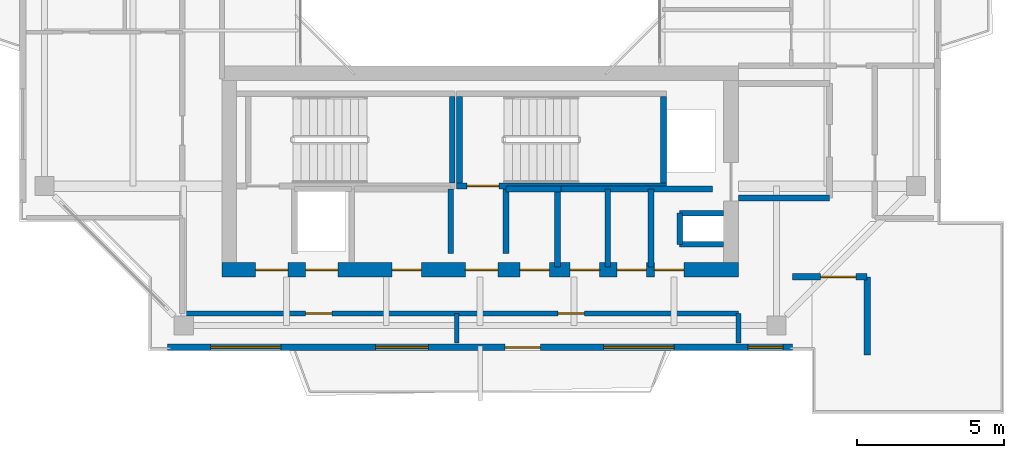
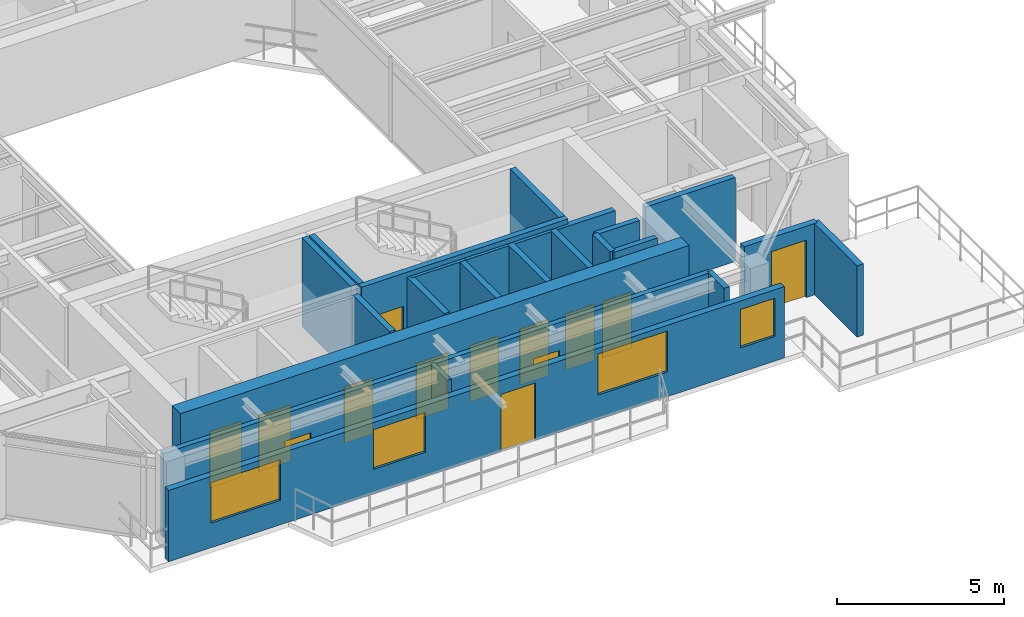
# One storey, part 9 of 14: 22 walls, 13 doors, 4 windows, 17 openings.
"""IFC4 building model written with IfcOpenShell, lengths in metres."""

from ifc_helpers import new_model, si_unit, direction, frame, frame_2d, origin, place, context, subcontext, project, spatial, rectangle, extrude, source, transform, mapped, material, layer, layer_set, type_object, element, fill, save


model = new_model("IFC4")

# Units and contexts
model_context = context("Model", 3, precision=1e-05, world=origin(), true_north=direction((0.0, 1.0)))
body_context = subcontext(model_context, "Body", "Model", "MODEL_VIEW")
ifc_project = project(units=[si_unit("LENGTHUNIT", "METRE"), si_unit("AREAUNIT", "SQUARE_METRE"), si_unit("VOLUMEUNIT", "CUBIC_METRE"), si_unit("PLANEANGLEUNIT", "RADIAN"), si_unit("MASSUNIT", "GRAM", prefix="KILO"), si_unit("THERMODYNAMICTEMPERATUREUNIT", "KELVIN"), si_unit("POWERUNIT", "WATT")], contexts=[model_context])

# Site, building, storey
site_placement = place(None, origin())
site = spatial("IfcSite", under=ifc_project, at=site_placement, CompositionType="ELEMENT")
building_placement = place(site_placement, origin())
building = spatial("IfcBuilding", under=site, at=building_placement, Name="Qiaomeng Ring Towers", CompositionType="ELEMENT")
storey_placement = place(building_placement, frame((0.0, 0.0, 253.5)))
storey = spatial("IfcBuildingStorey", under=building, at=storey_placement, Name="L74", CompositionType="ELEMENT", Elevation=253.5)

# Wall, openings, windows, door
ifc_material_1 = material(Name="Precast concrete C40", Category="concrete")
ifc_layer_1 = layer(ifc_material_1, 0.219970703125, Name="Precast concrete C40")
ifc_layer_set_1 = layer_set([ifc_layer_1], Name="Precast concrete C40")
wall_type_1 = type_object("IfcWallType", Name="ARC-WL-EW2", PredefinedType="STANDARD", material=ifc_layer_set_1)
wall_1_placement = place(storey_placement, frame((8.35009765625, 7.409912109375, 0.0), z_axis=(0.0, 0.0, 1.0), x_axis=(1.0, 0.0, 0.0)))
wall_1 = element("IfcWall", 1, at=wall_1_placement, inside=storey, type_object=wall_type_1, Name="L74 Tower 1 S Exterior Wall", PredefinedType="STANDARD", context=body_context, shape_type="SweptSolid", body=[
    extrude(rectangle(XDim=21.2998046875, YDim=0.219970703125, at=frame_2d((10.64990234375, 0.0))), origin(), (0.0, 0.0, 1.0), 2.610107421875),
])
opening_1_placement = place(wall_1_placement, frame((11.5, 0.0, 0.0)))
opening_1 = element("IfcOpeningElement", 2, at=opening_1_placement, cuts=wall_1, Name="Opening BD1", PredefinedType="OPENING", context=body_context, shape_type="SweptSolid", body=[
    extrude(rectangle(XDim=1.199951171875, YDim=2.10009765625, at=frame_2d((0.60009765625, 1.050048828125))), frame((0.0, 0.119873046875, 0.0), z_axis=(0.0, -1.0, 0.0), x_axis=(1.0, 0.0, 0.0)), (0.0, 0.0, 1.0), 0.239990234375),
])
opening_2_placement = place(wall_1_placement, frame((1.462890625, 0.0, 0.89990234375)))
opening_2 = element("IfcOpeningElement", 3, at=opening_2_placement, cuts=wall_1, Name="Opening WN6", PredefinedType="OPENING", context=body_context, shape_type="SweptSolid", body=[
    extrude(rectangle(XDim=2.39990234375, YDim=1.47998046875, at=frame_2d((1.199951171875, 0.739990234375))), frame((0.0, 0.119873046875, 0.0), z_axis=(0.0, -1.0, 0.0), x_axis=(1.0, 0.0, 0.0)), (0.0, 0.0, 1.0), 0.239990234375),
])
opening_3_placement = place(wall_1_placement, frame((7.087890625, 0.0, 0.89990234375)))
opening_3 = element("IfcOpeningElement", 4, at=opening_3_placement, cuts=wall_1, Name="Opening WN1", PredefinedType="OPENING", context=body_context, shape_type="SweptSolid", body=[
    extrude(rectangle(XDim=1.800048828125, YDim=1.449951171875, at=frame_2d((0.89990234375, 0.72509765625))), frame((0.0, 0.119873046875, 0.0), z_axis=(0.0, -1.0, 0.0), x_axis=(1.0, 0.0, 0.0)), (0.0, 0.0, 1.0), 0.239990234375),
])
opening_4_placement = place(wall_1_placement, frame((19.77490234375, 0.0, 0.89990234375)))
opening_4 = element("IfcOpeningElement", 5, at=opening_4_placement, cuts=wall_1, Name="Opening WN3", PredefinedType="OPENING", context=body_context, shape_type="SweptSolid", body=[
    extrude(rectangle(XDim=1.199951171875, YDim=1.39990234375, at=frame_2d((0.60009765625, 0.699951171875))), frame((0.0, 0.119873046875, 0.0), z_axis=(0.0, -1.0, 0.0), x_axis=(1.0, 0.0, 0.0)), (0.0, 0.0, 1.0), 0.239990234375),
])
opening_5_placement = place(wall_1_placement, frame((14.860107421875, 0.0, 0.89990234375)))
opening_5 = element("IfcOpeningElement", 6, at=opening_5_placement, cuts=wall_1, Name="Opening WN6", PredefinedType="OPENING", context=body_context, shape_type="SweptSolid", body=[
    extrude(rectangle(XDim=2.39990234375, YDim=1.5, at=frame_2d((1.199951171875, 0.75))), frame((0.0, 0.119873046875, 0.0), z_axis=(0.0, -1.0, 0.0), x_axis=(1.0, 0.0, 0.0)), (0.0, 0.0, 1.0), 0.239990234375),
])
ifc_material_2 = material(Name="Low-E dark-grey laminated double glazing", Category="glass")
window_type_1 = type_object("IfcWindowType", Name="ARC-WN-1", PartitioningType="DOUBLE_PANEL_VERTICAL", PredefinedType="WINDOW", material=ifc_material_2)
shared_shape_1 = source(origin(), body_context, "Body", "SweptSolid", [
    extrude(rectangle(XDim=1.800048828125, YDim=1.449951171875, at=frame_2d((0.89990234375, 0.72509765625))), frame((0.0, 0.030029296875, 0.0), z_axis=(0.0, -1.0, 0.0), x_axis=(1.0, 0.0, 0.0)), (0.0, 0.0, 1.0), 0.06005859375),
])
window_1_placement = place(opening_3_placement, origin())
window_1 = element("IfcWindow", 7, at=window_1_placement, inside=storey, type_object=window_type_1, Name="L74 Exterior Window WN1", OverallHeight=1.449951171875, OverallWidth=1.800048828125, PartitioningType="DOUBLE_PANEL_VERTICAL", PredefinedType="WINDOW", context=body_context, shape_type="MappedRepresentation", body=[
    mapped(shared_shape_1, transform((0.0, 0.0, 0.0), x_axis=(1.0, 0.0, 0.0), y_axis=(0.0, 1.0, 0.0), z_axis=(0.0, 0.0, 1.0), scale=1.0)),
])
fill(opening_3, window_1)
window_type_2 = type_object("IfcWindowType", Name="ARC-WN-6", PartitioningType="TRIPLE_PANEL_VERTICAL", PredefinedType="WINDOW", material=ifc_material_2)
shared_shape_2 = source(origin(), body_context, "Body", "SweptSolid", [
    extrude(rectangle(XDim=2.39990234375, YDim=1.47998046875, at=frame_2d((1.199951171875, 0.739990234375))), frame((0.0, 0.030029296875, 0.0), z_axis=(0.0, -1.0, 0.0), x_axis=(1.0, 0.0, 0.0)), (0.0, 0.0, 1.0), 0.06005859375),
])
window_2_placement = place(opening_2_placement, origin())
window_2 = element("IfcWindow", 8, at=window_2_placement, inside=storey, type_object=window_type_2, Name="L74 Exterior Window WN6", OverallHeight=1.47998046875, OverallWidth=2.39990234375, PartitioningType="TRIPLE_PANEL_VERTICAL", PredefinedType="WINDOW", context=body_context, shape_type="MappedRepresentation", body=[
    mapped(shared_shape_2, transform((0.0, 0.0, 0.0), x_axis=(1.0, 0.0, 0.0), y_axis=(0.0, 1.0, 0.0), z_axis=(0.0, 0.0, 1.0), scale=1.0)),
])
fill(opening_2, window_2)
door_type_1 = type_object("IfcDoorType", Name="ARC-DR-BD1", OperationType="NOTDEFINED", PredefinedType="DOOR", material=ifc_material_2)
shared_shape_3 = source(origin(), body_context, "Body", "SweptSolid", [
    extrude(rectangle(XDim=1.199951171875, YDim=2.10009765625, at=frame_2d((0.60009765625, 1.050048828125))), frame((0.0, 0.02490234375, 0.0), z_axis=(0.0, -1.0, 0.0), x_axis=(1.0, 0.0, 0.0)), (0.0, 0.0, 1.0), 0.050048828125),
])
door_1_placement = place(opening_1_placement, frame((1.199951171875, 0.0, 0.0), z_axis=(0.0, 0.0, 1.0), x_axis=(-1.0, 0.0, 0.0)))
door_1 = element("IfcDoor", 9, at=door_1_placement, inside=storey, type_object=door_type_1, Name="L74 S Balcony Glazed Door", OperationType="SINGLE_SWING_LEFT", OverallHeight=2.10009765625, OverallWidth=1.199951171875, PredefinedType="DOOR", context=body_context, shape_type="MappedRepresentation", body=[
    mapped(shared_shape_3, transform((0.0, 0.0, 0.0), x_axis=(1.0, 0.0, 0.0), y_axis=(0.0, 1.0, 0.0), z_axis=(0.0, 0.0, 1.0), scale=1.0)),
])
fill(opening_1, door_1)
shared_shape_4 = source(origin(), body_context, "Body", "SweptSolid", [
    extrude(rectangle(XDim=2.39990234375, YDim=1.5, at=frame_2d((1.199951171875, 0.75))), frame((0.0, 0.030029296875, 0.0), z_axis=(0.0, -1.0, 0.0), x_axis=(1.0, 0.0, 0.0)), (0.0, 0.0, 1.0), 0.06005859375),
])
window_3_placement = place(opening_5_placement, origin())
window_3 = element("IfcWindow", 10, at=window_3_placement, inside=storey, type_object=window_type_2, Name="L74 Exterior Window WN6", OverallHeight=1.5, OverallWidth=2.39990234375, PartitioningType="TRIPLE_PANEL_VERTICAL", PredefinedType="WINDOW", context=body_context, shape_type="MappedRepresentation", body=[
    mapped(shared_shape_4, transform((0.0, 0.0, 0.0), x_axis=(1.0, 0.0, 0.0), y_axis=(0.0, 1.0, 0.0), z_axis=(0.0, 0.0, 1.0), scale=1.0)),
])
fill(opening_5, window_3)
window_type_3 = type_object("IfcWindowType", Name="ARC-WN-3", PartitioningType="SINGLE_PANEL", PredefinedType="WINDOW", material=ifc_material_2)
shared_shape_5 = source(origin(), body_context, "Body", "SweptSolid", [
    extrude(rectangle(XDim=1.199951171875, YDim=1.39990234375, at=frame_2d((0.60009765625, 0.699951171875))), frame((0.0, 0.030029296875, 0.0), z_axis=(0.0, -1.0, 0.0), x_axis=(1.0, 0.0, 0.0)), (0.0, 0.0, 1.0), 0.06005859375),
])
window_4_placement = place(opening_4_placement, origin())
window_4 = element("IfcWindow", 11, at=window_4_placement, inside=storey, type_object=window_type_3, Name="L74 Exterior Window WN4", OverallHeight=1.39990234375, OverallWidth=1.199951171875, PartitioningType="TRIPLE_PANEL_VERTICAL", PredefinedType="WINDOW", context=body_context, shape_type="MappedRepresentation", body=[
    mapped(shared_shape_5, transform((0.0, 0.0, 0.0), x_axis=(1.0, 0.0, 0.0), y_axis=(0.0, 1.0, 0.0), z_axis=(0.0, 0.0, 1.0), scale=1.0)),
])
fill(opening_4, window_4)

# Wall, opening, door
wall_2_placement = place(storey_placement, frame((29.64990234375, 9.81005859375, 0.0), z_axis=(0.0, 0.0, 1.0), x_axis=(1.0, 0.0, 0.0)))
wall_2 = element("IfcWall", 12, at=wall_2_placement, inside=storey, type_object=wall_type_1, Name="L74 Spiral Terrace Wall SE", PredefinedType="STANDARD", context=body_context, shape_type="SweptSolid", body=[
    extrude(rectangle(XDim=2.5400390625, YDim=0.219970703125, at=frame_2d((1.27001953125, 0.0))), origin(), (0.0, 0.0, 1.0), 2.610107421875),
])
opening_6_placement = place(wall_2_placement, frame((0.949951171875, 0.0, 0.0)))
opening_6 = element("IfcOpeningElement", 13, at=opening_6_placement, cuts=wall_2, Name="Opening BD1", PredefinedType="OPENING", context=body_context, shape_type="SweptSolid", body=[
    extrude(rectangle(XDim=1.199951171875, YDim=2.10009765625, at=frame_2d((0.60009765625, 1.050048828125))), frame((0.0, 0.119873046875, 0.0), z_axis=(0.0, -1.0, 0.0), x_axis=(1.0, 0.0, 0.0)), (0.0, 0.0, 1.0), 0.239990234375),
])
door_2_placement = place(opening_6_placement, origin())
door_2 = element("IfcDoor", 14, at=door_2_placement, inside=storey, type_object=door_type_1, Name="L74 Spiral Sky Terrace Door SE", OperationType="SINGLE_SWING_LEFT", OverallHeight=2.10009765625, OverallWidth=1.199951171875, PredefinedType="DOOR", context=body_context, shape_type="MappedRepresentation", body=[
    mapped(shared_shape_3, transform((0.0, 0.0, 0.0), x_axis=(1.0, 0.0, 0.0), y_axis=(0.0, 1.0, 0.0), z_axis=(0.0, 0.0, 1.0), scale=1.0)),
])
fill(opening_6, door_2)

# Walls
wall_3_placement = place(storey_placement, frame((32.18994140625, 7.14990234375, 0.0), z_axis=(0.0, 0.0, 1.0), x_axis=(0.0, 1.0, 0.0)))
element("IfcWall", 15, at=wall_3_placement, inside=storey, type_object=wall_type_1, Name="L74 Spiral Terrace Return Wall SE", PredefinedType="STANDARD", context=body_context, shape_type="SweptSolid", body=[
    extrude(rectangle(XDim=2.66015625, YDim=0.219970703125, at=frame_2d((1.330078125, 0.0))), origin(), (0.0, 0.0, 1.0), 2.610107421875),
])
ifc_material_3 = material(Name="Autoclaved aerated concrete block", Category="concrete")
ifc_layer_2 = layer(ifc_material_3, 0.199951171875, Name="Autoclaved aerated concrete block")
ifc_layer_set_2 = layer_set([ifc_layer_2], Name="Autoclaved aerated concrete block")
wall_type_2 = type_object("IfcWallType", Name="ARC-WL-PW1", PredefinedType="PARTITIONING", material=ifc_layer_set_2)
wall_4_placement = place(storey_placement, frame((27.800048828125, 12.5, 0.0), z_axis=(0.0, 0.0, 1.0), x_axis=(1.0, 0.0, 0.0)))
element("IfcWall", 16, at=wall_4_placement, inside=storey, type_object=wall_type_2, Name="L74 Interior Wall PW1", PredefinedType="PARTITIONING", context=body_context, shape_type="SweptSolid", body=[
    extrude(rectangle(XDim=3.099853515625, YDim=0.199951171875, at=frame_2d((1.5498046875, 0.0))), origin(), (0.0, 0.0, 1.0), 3.070068359375),
])
for number, where, z_axis, x_axis, name in (
    (17, (18.0, 10.60009765625, 0.0), (0.0, 0.0, 1.0), (0.0, 1.0, 0.0), "L74 Interior Wall PW1"),
    (18, (19.8798828125, 10.60009765625, 0.0), (0.0, 0.0, 1.0), (0.0, 1.0, 0.0), "L74 Interior Wall PW1"),
):
    element("IfcWall", number, at=place(storey_placement, frame(where, z_axis=z_axis, x_axis=x_axis)), inside=storey, type_object=wall_type_2, Name=name, PredefinedType="PARTITIONING", context=body_context, shape_type="SweptSolid", body=[
        extrude(rectangle(XDim=2.2099609375, YDim=0.199951171875, at=frame_2d((1.10498046875, 0.0))), origin(), (0.0, 0.0, 1.0), 3.070068359375),
    ])
wall_5_placement = place(storey_placement, frame((24.820068359375, 10.14990234375, 0.0), z_axis=(0.0, 0.0, 1.0), x_axis=(0.0, 1.0, 0.0)))
element("IfcWall", 19, at=wall_5_placement, inside=storey, type_object=wall_type_2, Name="L74 Interior Wall PW1", PredefinedType="PARTITIONING", context=body_context, shape_type="SweptSolid", body=[
    extrude(rectangle(XDim=2.650146484375, YDim=0.199951171875, at=frame_2d((1.3251953125, 0.0))), origin(), (0.0, 0.0, 1.0), 3.070068359375),
])
wall_6_placement = place(storey_placement, frame((19.8798828125, 12.800048828125, 0.0), z_axis=(0.0, 0.0, 1.0), x_axis=(1.0, 0.0, 0.0)))
element("IfcWall", 20, at=wall_6_placement, inside=storey, type_object=wall_type_2, Name="L74 Interior Wall PW1", PredefinedType="PARTITIONING", context=body_context, shape_type="SweptSolid", body=[
    extrude(rectangle(XDim=1.8701171875, YDim=0.199951171875, at=frame_2d((0.93505859375, 0.0))), origin(), (0.0, 0.0, 1.0), 3.070068359375),
])
for number, where, z_axis, x_axis, name in (
    (21, (21.639892578125, 10.14990234375, 0.0), (0.0, 0.0, 1.0), (0.0, 1.0, 0.0), "L74 Interior Wall PW1"),
    (22, (23.35009765625, 10.14990234375, 0.0), (0.0, 0.0, 1.0), (0.0, 1.0, 0.0), "L74 Interior Wall PW1"),
):
    element("IfcWall", number, at=place(storey_placement, frame(where, z_axis=z_axis, x_axis=x_axis)), inside=storey, type_object=wall_type_2, Name=name, PredefinedType="PARTITIONING", context=body_context, shape_type="SweptSolid", body=[
        extrude(rectangle(XDim=2.650146484375, YDim=0.199951171875, at=frame_2d((1.3251953125, 0.0))), origin(), (0.0, 0.0, 1.0), 3.070068359375),
    ])
wall_7_placement = place(storey_placement, frame((21.75, 12.800048828125, 0.0), z_axis=(0.0, 0.0, 1.0), x_axis=(1.0, 0.0, 0.0)))
element("IfcWall", 23, at=wall_7_placement, inside=storey, type_object=wall_type_2, Name="L74 Interior Wall PW1", PredefinedType="PARTITIONING", context=body_context, shape_type="SweptSolid", body=[
    extrude(rectangle(XDim=5.169921875, YDim=0.199951171875, at=frame_2d((2.5849609375, 0.0))), origin(), (0.0, 0.0, 1.0), 3.070068359375),
])
ifc_layer_3 = layer(ifc_material_3, 0.179931640625, Name="Autoclaved aerated concrete block")
ifc_layer_set_3 = layer_set([ifc_layer_3], Name="Autoclaved aerated concrete block")
wall_type_3 = type_object("IfcWallType", Name="ARC-WL-PW2", PredefinedType="PARTITIONING", material=ifc_layer_set_3)
wall_8_placement = place(storey_placement, frame((27.800048828125, 7.550048828125, 0.0), z_axis=(0.0, 0.0, 1.0), x_axis=(0.0, 1.0, 0.0)))
element("IfcWall", 24, at=wall_8_placement, inside=storey, type_object=wall_type_3, Name="L74 Interior Wall PW2", PredefinedType="PARTITIONING", context=body_context, shape_type="SweptSolid", body=[
    extrude(rectangle(XDim=1.010009765625, YDim=0.179931640625, at=frame_2d((0.5048828125, 0.0))), origin(), (0.0, 0.0, 1.0), 3.070068359375),
])

# Wall, openings, doors
wall_9_placement = place(storey_placement, frame((8.85009765625, 8.56005859375, 0.0), z_axis=(0.0, 0.0, 1.0), x_axis=(1.0, 0.0, 0.0)))
wall_9 = element("IfcWall", 25, at=wall_9_placement, inside=storey, type_object=wall_type_3, Name="L74 Interior Wall PW2", PredefinedType="PARTITIONING", context=body_context, shape_type="SweptSolid", body=[
    extrude(rectangle(XDim=18.949951171875, YDim=0.179931640625, at=frame_2d((9.47509765625, 0.0))), origin(), (0.0, 0.0, 1.0), 3.070068359375),
])
opening_7_placement = place(wall_9_placement, frame((4.199951171875, 0.0, 0.0)))
opening_7 = element("IfcOpeningElement", 26, at=opening_7_placement, cuts=wall_9, Name="Opening ID1", PredefinedType="OPENING", context=body_context, shape_type="SweptSolid", body=[
    extrude(rectangle(XDim=0.89990234375, YDim=2.050048828125, at=frame_2d((0.449951171875, 1.02490234375))), frame((0.0, 0.099853515625, 0.0), z_axis=(0.0, -1.0, 0.0), x_axis=(1.0, 0.0, 0.0)), (0.0, 0.0, 1.0), 0.199951171875),
])
opening_8_placement = place(wall_9_placement, frame((12.800048828125, 0.0, 0.0)))
opening_8 = element("IfcOpeningElement", 27, at=opening_8_placement, cuts=wall_9, Name="Opening ID1", PredefinedType="OPENING", context=body_context, shape_type="SweptSolid", body=[
    extrude(rectangle(XDim=0.89990234375, YDim=2.050048828125, at=frame_2d((0.449951171875, 1.02490234375))), frame((0.0, 0.099853515625, 0.0), z_axis=(0.0, -1.0, 0.0), x_axis=(1.0, 0.0, 0.0)), (0.0, 0.0, 1.0), 0.199951171875),
])
ifc_material_4 = material(Name="Engineered oak timber", Category="wood")
door_type_2 = type_object("IfcDoorType", Name="ARC-DR-ID1", OperationType="NOTDEFINED", PredefinedType="DOOR", material=ifc_material_4)
shared_shape_6 = source(origin(), body_context, "Body", "SweptSolid", [
    extrude(rectangle(XDim=0.89990234375, YDim=2.050048828125, at=frame_2d((0.449951171875, 1.02490234375))), frame((0.0, 0.02490234375, 0.0), z_axis=(0.0, -1.0, 0.0), x_axis=(1.0, 0.0, 0.0)), (0.0, 0.0, 1.0), 0.050048828125),
])
door_3_placement = place(opening_7_placement, origin())
door_3 = element("IfcDoor", 28, at=door_3_placement, inside=storey, type_object=door_type_2, Name="L74 Door ID1", OperationType="SINGLE_SWING_LEFT", OverallHeight=2.050048828125, OverallWidth=0.89990234375, PredefinedType="DOOR", context=body_context, shape_type="MappedRepresentation", body=[
    mapped(shared_shape_6, transform((0.0, 0.0, 0.0), x_axis=(1.0, 0.0, 0.0), y_axis=(0.0, 1.0, 0.0), z_axis=(0.0, 0.0, 1.0), scale=1.0)),
])
fill(opening_7, door_3)
door_4_placement = place(opening_8_placement, origin())
door_4 = element("IfcDoor", 29, at=door_4_placement, inside=storey, type_object=door_type_2, Name="L74 Door ID1", OperationType="SINGLE_SWING_RIGHT", OverallHeight=2.050048828125, OverallWidth=0.89990234375, PredefinedType="DOOR", context=body_context, shape_type="MappedRepresentation", body=[
    mapped(shared_shape_6, transform((0.0, 0.0, 0.0), x_axis=(1.0, 0.0, 0.0), y_axis=(0.0, 1.0, 0.0), z_axis=(0.0, 0.0, 1.0), scale=1.0)),
])
fill(opening_8, door_4)

# Walls
ifc_material_5 = material(Name="Gypsum fireboard steel-stud partition", Category="steel")
ifc_layer_4 = layer(ifc_material_5, 0.14990234375, Name="Gypsum fireboard steel-stud partition")
ifc_layer_set_4 = layer_set([ifc_layer_4], Name="Gypsum fireboard steel-stud partition")
wall_type_4 = type_object("IfcWallType", Name="ARC-WL-PW3", PredefinedType="PARTITIONING", material=ifc_layer_set_4)
wall_10_placement = place(storey_placement, frame((18.199951171875, 7.550048828125, 0.0), z_axis=(0.0, 0.0, 1.0), x_axis=(0.0, 1.0, 0.0)))
element("IfcWall", 30, at=wall_10_placement, inside=storey, type_object=wall_type_4, Name="L74 Interior Wall PW3", PredefinedType="PARTITIONING", context=body_context, shape_type="SweptSolid", body=[
    extrude(rectangle(XDim=1.010009765625, YDim=0.14990234375, at=frame_2d((0.5048828125, 0.0))), origin(), (0.0, 0.0, 1.0), 3.070068359375),
])
ifc_material_6 = material(Name="Concrete C40", Category="concrete")
ifc_layer_5 = layer(ifc_material_6, 0.199951171875, Name="Concrete C40")
ifc_layer_set_5 = layer_set([ifc_layer_5], Name="Concrete C40")
wall_type_5 = type_object("IfcWallType", Name="STR-WL-STSHAFT", PredefinedType="SHEAR", material=ifc_layer_set_5)
wall_11_placement = place(storey_placement, frame((25.800048828125, 10.919921875, 0.0), z_axis=(0.0, 0.0, 1.0), x_axis=(0.0, 1.0, 0.0)))
element("IfcWall", 31, at=wall_11_placement, inside=storey, type_object=wall_type_5, Name="L74 Riser RSR1 West Shaft Wall S", PredefinedType="SHEAR", context=body_context, shape_type="SweptSolid", body=[
    extrude(rectangle(XDim=1.06005859375, YDim=0.179931640625, at=frame_2d((0.530029296875, 0.0))), origin(), (0.0, 0.0, 1.0), 3.070068359375),
])
for number, where, z_axis, x_axis, name in (
    (32, (25.800048828125, 11.97998046875, 0.0), (0.0, 0.0, 1.0), (1.0, 0.0, 0.0), "L74 Riser RSR1 North Shaft Wall S"),
    (33, (25.800048828125, 10.919921875, 0.0), (0.0, 0.0, 1.0), (1.0, 0.0, 0.0), "L74 Riser RSR1 South Shaft Wall S"),
):
    element("IfcWall", number, at=place(storey_placement, frame(where, z_axis=z_axis, x_axis=x_axis)), inside=storey, type_object=wall_type_5, Name=name, PredefinedType="SHEAR", context=body_context, shape_type="SweptSolid", body=[
        extrude(rectangle(XDim=1.5, YDim=0.179931640625, at=frame_2d((0.75, 0.0))), origin(), (0.0, 0.0, 1.0), 3.070068359375),
    ])
wall_12_placement = place(storey_placement, frame((18.050048828125, 13.010009765625, 0.0), z_axis=(0.0, 0.0, 1.0), x_axis=(0.0, 1.0, 0.0)))
element("IfcWall", 34, at=wall_12_placement, inside=storey, type_object=wall_type_5, Name="L74 Stair ST3 East Shaft Shear Wall", PredefinedType="SHEAR", context=body_context, shape_type="SweptSolid", body=[
    extrude(rectangle(XDim=2.93994140625, YDim=0.199951171875, at=frame_2d((1.469970703125, 0.0))), origin(), (0.0, 0.0, 1.0), 3.25),
])

# Wall, opening, door
wall_13_placement = place(storey_placement, frame((18.199951171875, 12.909912109375, 0.0), z_axis=(0.0, 0.0, 1.0), x_axis=(1.0, 0.0, 0.0)))
wall_13 = element("IfcWall", 35, at=wall_13_placement, inside=storey, type_object=wall_type_5, Name="L74 Stair ST4 South Shaft Shear Wall", PredefinedType="SHEAR", context=body_context, shape_type="SweptSolid", body=[
    extrude(rectangle(XDim=7.150146484375, YDim=0.199951171875, at=frame_2d((3.5751953125, 0.0))), origin(), (0.0, 0.0, 1.0), 3.25),
])
opening_9_placement = place(wall_13_placement, frame((0.35009765625, 0.0, 0.0)))
opening_9 = element("IfcOpeningElement", 36, at=opening_9_placement, cuts=wall_13, Name="Opening FD3", PredefinedType="OPENING", context=body_context, shape_type="SweptSolid", body=[
    extrude(rectangle(XDim=1.10009765625, YDim=2.050048828125, at=frame_2d((0.550048828125, 1.02490234375))), frame((0.0, 0.10986328125, 0.0), z_axis=(0.0, -1.0, 0.0), x_axis=(1.0, 0.0, 0.0)), (0.0, 0.0, 1.0), 0.219970703125),
])
ifc_material_7 = material(Name="Galvanised steel", Category="steel")
door_type_3 = type_object("IfcDoorType", Name="ARC-DR-FD3", OperationType="NOTDEFINED", PredefinedType="DOOR", material=ifc_material_7)
shared_shape_7 = source(origin(), body_context, "Body", "SweptSolid", [
    extrude(rectangle(XDim=1.10009765625, YDim=2.050048828125, at=frame_2d((0.550048828125, 1.02490234375))), frame((0.0, 0.02490234375, 0.0), z_axis=(0.0, -1.0, 0.0), x_axis=(1.0, 0.0, 0.0)), (0.0, 0.0, 1.0), 0.050048828125),
])
door_5_placement = place(opening_9_placement, frame((1.10009765625, 0.0, 0.0), z_axis=(0.0, 0.0, 1.0), x_axis=(-1.0, 0.0, 0.0)))
door_5 = element("IfcDoor", 37, at=door_5_placement, inside=storey, type_object=door_type_3, Name="L74 Stair ST4 Exit Door", OperationType="SINGLE_SWING_RIGHT", OverallHeight=2.050048828125, OverallWidth=1.10009765625, PredefinedType="DOOR", context=body_context, shape_type="MappedRepresentation", body=[
    mapped(shared_shape_7, transform((0.0, 0.0, 0.0), x_axis=(1.0, 0.0, 0.0), y_axis=(0.0, 1.0, 0.0), z_axis=(0.0, 0.0, 1.0), scale=1.0)),
])
fill(opening_9, door_5)

# Walls
for number, where, z_axis, x_axis, name in (
    (38, (18.300048828125, 13.010009765625, 0.0), (0.0, 0.0, 1.0), (0.0, 1.0, 0.0), "L74 Stair ST4 West Shaft Shear Wall"),
    (39, (25.25, 13.010009765625, 0.0), (0.0, 0.0, 1.0), (0.0, 1.0, 0.0), "L74 Stair ST4 East Shaft Shear Wall"),
):
    element("IfcWall", number, at=place(storey_placement, frame(where, z_axis=z_axis, x_axis=x_axis)), inside=storey, type_object=wall_type_5, Name=name, PredefinedType="SHEAR", context=body_context, shape_type="SweptSolid", body=[
        extrude(rectangle(XDim=2.93994140625, YDim=0.199951171875, at=frame_2d((1.469970703125, 0.0))), origin(), (0.0, 0.0, 1.0), 3.25),
    ])

# Wall, openings, doors
ifc_layer_6 = layer(ifc_material_6, 0.5, Name="Concrete C40")
ifc_layer_set_6 = layer_set([ifc_layer_6], Name="Concrete C40")
wall_type_6 = type_object("IfcWallType", Name="STR-WL-SW3", PredefinedType="SHEAR", material=ifc_layer_set_6)
wall_14_placement = place(storey_placement, frame((10.199951171875, 10.050048828125, 0.0), z_axis=(0.0, 0.0, 1.0), x_axis=(1.0, 0.0, 0.0)))
wall_14 = element("IfcWall", 40, at=wall_14_placement, inside=storey, type_object=wall_type_6, Name="L74 T1SC south core shear wall", PredefinedType="SHEAR", context=body_context, shape_type="SweptSolid", body=[
    extrude(rectangle(XDim=17.60009765625, YDim=0.5, at=frame_2d((8.800048828125, 0.0))), origin(), (0.0, 0.0, 1.0), 3.25),
])
opening_10_placement = place(wall_14_placement, frame((1.14990234375, 0.0, 0.0)))
opening_10 = element("IfcOpeningElement", 41, at=opening_10_placement, cuts=wall_14, Name="Opening FD3", PredefinedType="OPENING", context=body_context, shape_type="SweptSolid", body=[
    extrude(rectangle(XDim=1.10009765625, YDim=2.050048828125, at=frame_2d((0.550048828125, 1.02490234375))), frame((0.0, 0.260009765625, 0.0), z_axis=(0.0, -1.0, 0.0), x_axis=(1.0, 0.0, 0.0)), (0.0, 0.0, 1.0), 0.52001953125),
])
opening_11_placement = place(wall_14_placement, frame((8.300048828125, 0.0, 0.0)))
opening_11 = element("IfcOpeningElement", 42, at=opening_11_placement, cuts=wall_14, Name="Opening FD3", PredefinedType="OPENING", context=body_context, shape_type="SweptSolid", body=[
    extrude(rectangle(XDim=1.10009765625, YDim=2.050048828125, at=frame_2d((0.550048828125, 1.02490234375))), frame((0.0, 0.260009765625, 0.0), z_axis=(0.0, -1.0, 0.0), x_axis=(1.0, 0.0, 0.0)), (0.0, 0.0, 1.0), 0.52001953125),
])
opening_12_placement = place(wall_14_placement, frame((2.85009765625, 0.0, 0.0)))
opening_12 = element("IfcOpeningElement", 43, at=opening_12_placement, cuts=wall_14, Name="Opening LD1", PredefinedType="OPENING", context=body_context, shape_type="SweptSolid", body=[
    extrude(rectangle(XDim=1.10009765625, YDim=2.050048828125, at=frame_2d((0.550048828125, 1.02490234375))), frame((0.0, 0.260009765625, 0.0), z_axis=(0.0, -1.0, 0.0), x_axis=(1.0, 0.0, 0.0)), (0.0, 0.0, 1.0), 0.52001953125),
])
opening_13_placement = place(wall_14_placement, frame((5.800048828125, 0.0, 0.0)))
opening_13 = element("IfcOpeningElement", 44, at=opening_13_placement, cuts=wall_14, Name="Opening FD1", PredefinedType="OPENING", context=body_context, shape_type="SweptSolid", body=[
    extrude(rectangle(XDim=1.0, YDim=2.050048828125, at=frame_2d((0.5, 1.02490234375))), frame((0.0, 0.260009765625, 0.0), z_axis=(0.0, -1.0, 0.0), x_axis=(1.0, 0.0, 0.0)), (0.0, 0.0, 1.0), 0.52001953125),
])
opening_14_placement = place(wall_14_placement, frame((14.739990234375, 0.0, 0.0)))
opening_14 = element("IfcOpeningElement", 45, at=opening_14_placement, cuts=wall_14, Name="Opening FD1", PredefinedType="OPENING", context=body_context, shape_type="SweptSolid", body=[
    extrude(rectangle(XDim=1.0, YDim=2.050048828125, at=frame_2d((0.5, 1.02490234375))), frame((0.0, 0.260009765625, 0.0), z_axis=(0.0, -1.0, 0.0), x_axis=(1.0, 0.0, 0.0)), (0.0, 0.0, 1.0), 0.52001953125),
])
opening_15_placement = place(wall_14_placement, frame((10.155029296875, 0.0, 0.0)))
opening_15 = element("IfcOpeningElement", 46, at=opening_15_placement, cuts=wall_14, Name="Opening FD1", PredefinedType="OPENING", context=body_context, shape_type="SweptSolid", body=[
    extrude(rectangle(XDim=1.0, YDim=2.050048828125, at=frame_2d((0.5, 1.02490234375))), frame((0.0, 0.260009765625, 0.0), z_axis=(0.0, -1.0, 0.0), x_axis=(1.0, 0.0, 0.0)), (0.0, 0.0, 1.0), 0.52001953125),
])
opening_16_placement = place(wall_14_placement, frame((11.8701171875, 0.0, 0.0)))
opening_16 = element("IfcOpeningElement", 47, at=opening_16_placement, cuts=wall_14, Name="Opening FD1", PredefinedType="OPENING", context=body_context, shape_type="SweptSolid", body=[
    extrude(rectangle(XDim=1.0, YDim=2.050048828125, at=frame_2d((0.5, 1.02490234375))), frame((0.0, 0.260009765625, 0.0), z_axis=(0.0, -1.0, 0.0), x_axis=(1.0, 0.0, 0.0)), (0.0, 0.0, 1.0), 0.52001953125),
])
opening_17_placement = place(wall_14_placement, frame((13.4599609375, 0.0, 0.0)))
opening_17 = element("IfcOpeningElement", 48, at=opening_17_placement, cuts=wall_14, Name="Opening FD1", PredefinedType="OPENING", context=body_context, shape_type="SweptSolid", body=[
    extrude(rectangle(XDim=1.0, YDim=2.050048828125, at=frame_2d((0.5, 1.02490234375))), frame((0.0, 0.260009765625, 0.0), z_axis=(0.0, -1.0, 0.0), x_axis=(1.0, 0.0, 0.0)), (0.0, 0.0, 1.0), 0.52001953125),
])
door_6_placement = place(opening_10_placement, origin())
door_6 = element("IfcDoor", 49, at=door_6_placement, inside=storey, type_object=door_type_3, Name="L74 Stair ST3 Lobby Door", OperationType="SINGLE_SWING_LEFT", OverallHeight=2.050048828125, OverallWidth=1.10009765625, PredefinedType="DOOR", context=body_context, shape_type="MappedRepresentation", body=[
    mapped(shared_shape_7, transform((0.0, 0.0, 0.0), x_axis=(1.0, 0.0, 0.0), y_axis=(0.0, 1.0, 0.0), z_axis=(0.0, 0.0, 1.0), scale=1.0)),
])
fill(opening_10, door_6)
door_7_placement = place(opening_11_placement, origin())
door_7 = element("IfcDoor", 50, at=door_7_placement, inside=storey, type_object=door_type_3, Name="L74 Stair ST4 Lobby Door", OperationType="SINGLE_SWING_LEFT", OverallHeight=2.050048828125, OverallWidth=1.10009765625, PredefinedType="DOOR", context=body_context, shape_type="MappedRepresentation", body=[
    mapped(shared_shape_7, transform((0.0, 0.0, 0.0), x_axis=(1.0, 0.0, 0.0), y_axis=(0.0, 1.0, 0.0), z_axis=(0.0, 0.0, 1.0), scale=1.0)),
])
fill(opening_11, door_7)
ifc_material_8 = material(Name="Stainless steel 316", Category="steel")
door_type_4 = type_object("IfcDoorType", Name="ARC-DR-LD1", OperationType="NOTDEFINED", PredefinedType="DOOR", material=ifc_material_8)
door_8_placement = place(opening_12_placement, origin())
door_8 = element("IfcDoor", 51, at=door_8_placement, inside=storey, type_object=door_type_4, Name="L74 High-Zone Lift LP6 Landing Door", OperationType="SLIDING_TO_RIGHT", OverallHeight=2.050048828125, OverallWidth=1.10009765625, PredefinedType="DOOR", context=body_context, shape_type="MappedRepresentation", body=[
    mapped(shared_shape_7, transform((0.0, 0.0, 0.0), x_axis=(1.0, 0.0, 0.0), y_axis=(0.0, 1.0, 0.0), z_axis=(0.0, 0.0, 1.0), scale=1.0)),
])
fill(opening_12, door_8)
door_type_5 = type_object("IfcDoorType", Name="ARC-DR-FD1", OperationType="NOTDEFINED", PredefinedType="DOOR", material=ifc_material_7)
shared_shape_8 = source(origin(), body_context, "Body", "SweptSolid", [
    extrude(rectangle(XDim=1.0, YDim=2.050048828125, at=frame_2d((0.5, 1.02490234375))), frame((0.0, 0.02490234375, 0.0), z_axis=(0.0, -1.0, 0.0), x_axis=(1.0, 0.0, 0.0)), (0.0, 0.0, 1.0), 0.050048828125),
])
door_9_placement = place(opening_13_placement, origin())
door_9 = element("IfcDoor", 52, at=door_9_placement, inside=storey, type_object=door_type_5, Name="L74 High-Zone Freed Core Room Door", OperationType="SINGLE_SWING_RIGHT", OverallHeight=2.050048828125, OverallWidth=1.0, PredefinedType="DOOR", context=body_context, shape_type="MappedRepresentation", body=[
    mapped(shared_shape_8, transform((0.0, 0.0, 0.0), x_axis=(1.0, 0.0, 0.0), y_axis=(0.0, 1.0, 0.0), z_axis=(0.0, 0.0, 1.0), scale=1.0)),
])
fill(opening_13, door_9)
door_10_placement = place(opening_14_placement, origin())
door_10 = element("IfcDoor", 53, at=door_10_placement, inside=storey, type_object=door_type_5, Name="L74 South Electrical Riser Door", OperationType="SINGLE_SWING_RIGHT", OverallHeight=2.050048828125, OverallWidth=1.0, PredefinedType="DOOR", context=body_context, shape_type="MappedRepresentation", body=[
    mapped(shared_shape_8, transform((0.0, 0.0, 0.0), x_axis=(1.0, 0.0, 0.0), y_axis=(0.0, 1.0, 0.0), z_axis=(0.0, 0.0, 1.0), scale=1.0)),
])
fill(opening_14, door_10)
door_11_placement = place(opening_15_placement, origin())
door_11 = element("IfcDoor", 54, at=door_11_placement, inside=storey, type_object=door_type_5, Name="L74 South Break Lounge Door", OperationType="SINGLE_SWING_RIGHT", OverallHeight=2.050048828125, OverallWidth=1.0, PredefinedType="DOOR", context=body_context, shape_type="MappedRepresentation", body=[
    mapped(shared_shape_8, transform((0.0, 0.0, 0.0), x_axis=(1.0, 0.0, 0.0), y_axis=(0.0, 1.0, 0.0), z_axis=(0.0, 0.0, 1.0), scale=1.0)),
])
fill(opening_15, door_11)
door_12_placement = place(opening_16_placement, origin())
door_12 = element("IfcDoor", 55, at=door_12_placement, inside=storey, type_object=door_type_5, Name="L74 South Consultation Study Door", OperationType="SINGLE_SWING_LEFT", OverallHeight=2.050048828125, OverallWidth=1.0, PredefinedType="DOOR", context=body_context, shape_type="MappedRepresentation", body=[
    mapped(shared_shape_8, transform((0.0, 0.0, 0.0), x_axis=(1.0, 0.0, 0.0), y_axis=(0.0, 1.0, 0.0), z_axis=(0.0, 0.0, 1.0), scale=1.0)),
])
fill(opening_16, door_12)
door_13_placement = place(opening_17_placement, origin())
door_13 = element("IfcDoor", 56, at=door_13_placement, inside=storey, type_object=door_type_5, Name="L74 South Tea Pantry Door", OperationType="SINGLE_SWING_RIGHT", OverallHeight=2.050048828125, OverallWidth=1.0, PredefinedType="DOOR", context=body_context, shape_type="MappedRepresentation", body=[
    mapped(shared_shape_8, transform((0.0, 0.0, 0.0), x_axis=(1.0, 0.0, 0.0), y_axis=(0.0, 1.0, 0.0), z_axis=(0.0, 0.0, 1.0), scale=1.0)),
])
fill(opening_17, door_13)

save(model, "model.ifc")
